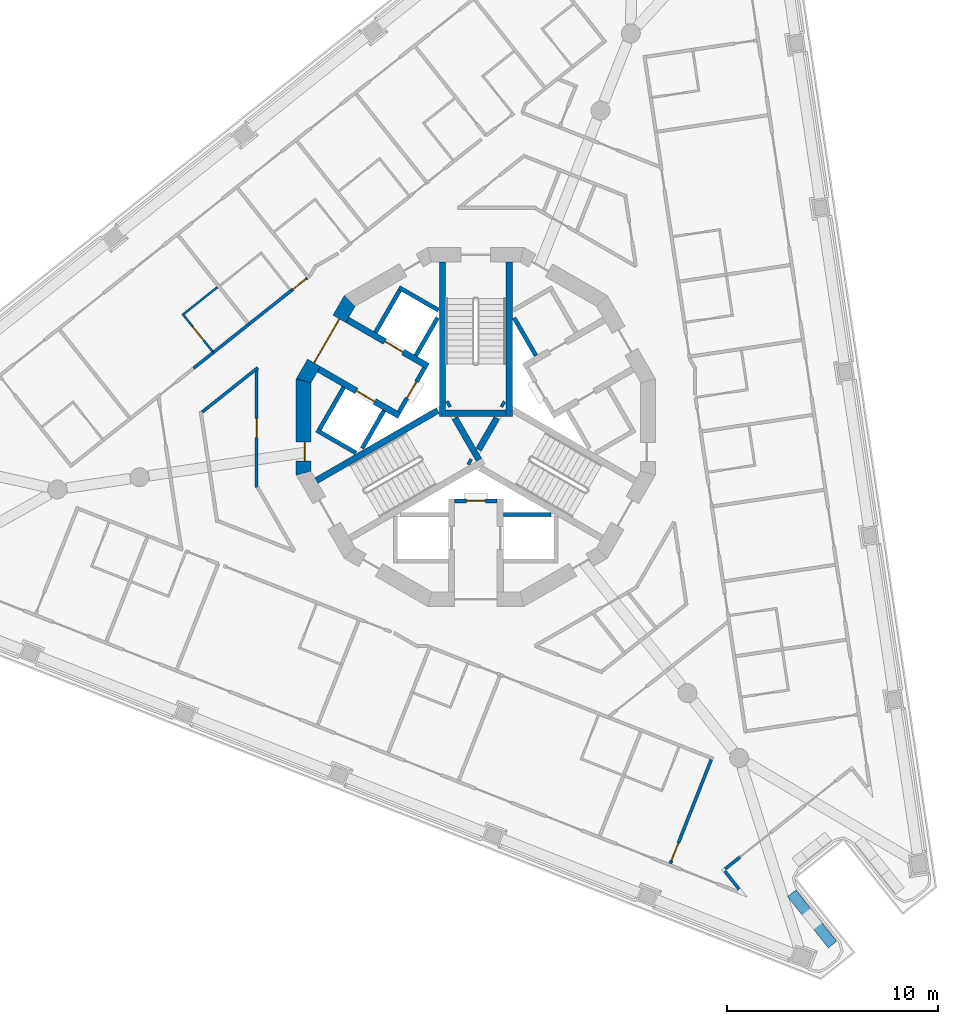
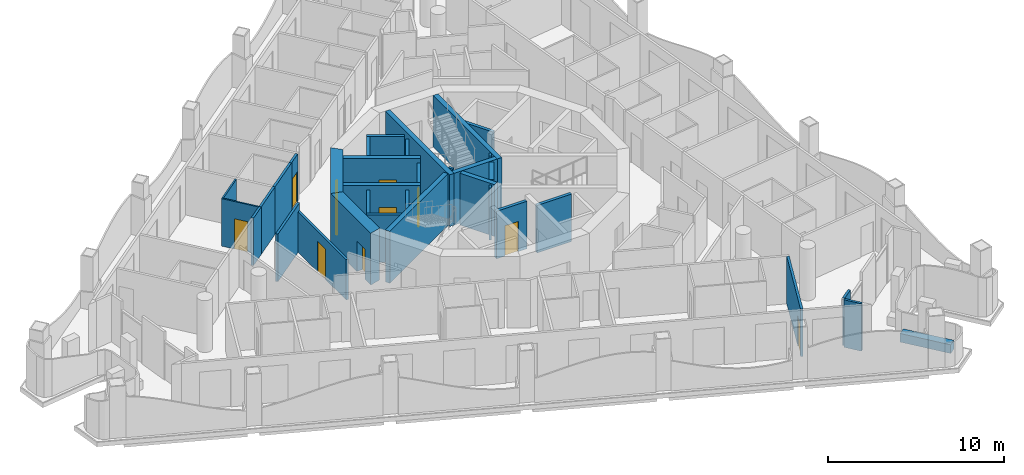
# One storey, part 4 of 17: 35 walls, 10 doors, 10 openings.
"""IFC4 building model written with IfcOpenShell, lengths in metres."""

import ifcopenshell
import ifcopenshell.guid

model = None  # the IFC model being written
_history = None  # IfcOwnerHistory: only IFC2X3 demands one
_inside = {}  # id of a spatial element -> (the spatial element, [elements in it])
_under = {}  # id of a project, library or spatial element -> (it, [spatial elements below it])
_declared = {}  # id of a project -> (the project, [libraries it declares])
_typed = {}  # id of a type object -> (the type object, [elements of that type])
_made_of = {}  # id of a material, layer set ... -> (it, [elements and type objects made of it])


def new_model(schema):
    """Start an empty IFC model of exactly this schema.

    Asked for "IFC4X3", IfcOpenShell would pick the latest addendum, in which some entities
    have other attributes; the version numbers below select the first issue.
    IFC2X3 requires an IfcOwnerHistory on every rooted entity: one is made here for all.
    """
    global model, _history
    if schema == "IFC4X3":
        model = ifcopenshell.file(schema_version=(4, 3, 0, 0))
    else:
        model = ifcopenshell.file(schema=schema)
    _inside.clear()
    _under.clear()
    _declared.clear()
    _typed.clear()
    _made_of.clear()
    _history = None
    if model.schema == "IFC2X3":
        org = make("IfcOrganization", Name="unknown")
        user = make(
            "IfcPersonAndOrganization",
            ThePerson=make("IfcPerson", FamilyName="unknown"),
            TheOrganization=org,
        )
        app = make(
            "IfcApplication",
            ApplicationDeveloper=org,
            Version="unknown",
            ApplicationFullName="unknown",
            ApplicationIdentifier="unknown",
        )
        _history = make(
            "IfcOwnerHistory",
            OwningUser=user,
            OwningApplication=app,
            ChangeAction="ADDED",
            CreationDate=0,
        )
    return model


def make(cls, **values):
    """One entity of the class cls with the attributes given. An attribute that is None is left unset."""
    return model.create_entity(
        cls, **{name: value for name, value in values.items() if value is not None}
    )


def rooted(cls, **values):
    """An entity with a GlobalId (a new one), such as an element, a storey or a relation."""
    return make(cls, GlobalId=ifcopenshell.guid.new(), OwnerHistory=_history, **values)


def si_unit(unit_type, name, prefix=None):
    """IfcSIUnit, for example si_unit("LENGTHUNIT", "METRE", prefix="MILLI")."""
    return make("IfcSIUnit", UnitType=unit_type, Prefix=prefix, Name=name)


def assignment(units):
    """IfcUnitAssignment: the units of a project."""
    return None if units is None else make("IfcUnitAssignment", Units=units)


def point(xyz):
    """IfcCartesianPoint."""
    return None if xyz is None else make("IfcCartesianPoint", Coordinates=xyz)


def direction(xyz):
    """IfcDirection."""
    return None if xyz is None else make("IfcDirection", DirectionRatios=xyz)


def frame(location, z_axis=None, x_axis=None):
    """IfcAxis2Placement3D, a coordinate frame: its origin and axes. An axis left out is left unset."""
    return make(
        "IfcAxis2Placement3D",
        Location=point(location),
        Axis=direction(z_axis),
        RefDirection=direction(x_axis),
    )


def frame_2d(location, x_axis=None):
    """IfcAxis2Placement2D, a coordinate frame in the plane: its origin and x axis."""
    return make(
        "IfcAxis2Placement2D", Location=point(location), RefDirection=direction(x_axis)
    )


def origin():
    """The frame at (0, 0, 0) with its axes left unset."""
    return frame((0.0, 0.0, 0.0))


def place(relative_to, where):
    """IfcLocalPlacement: puts the frame where relative to a parent placement (None: the world)."""
    return make(
        "IfcLocalPlacement", PlacementRelTo=relative_to, RelativePlacement=where
    )


def context(
    kind, dimensions, precision=None, world=None, true_north=None, identifier=None
):
    """IfcGeometricRepresentationContext, for example the 3D "Model" context."""
    return make(
        "IfcGeometricRepresentationContext",
        ContextIdentifier=identifier,
        ContextType=kind,
        CoordinateSpaceDimension=dimensions,
        Precision=precision,
        WorldCoordinateSystem=world,
        TrueNorth=true_north,
    )


def subcontext(parent, identifier, kind, view, scale=None):
    """IfcGeometricRepresentationSubContext, for example "Body" below "Model"."""
    return make(
        "IfcGeometricRepresentationSubContext",
        ContextIdentifier=identifier,
        ContextType=kind,
        ParentContext=parent,
        TargetScale=scale,
        TargetView=view,
    )


def project(units=None, contexts=None):
    """IfcProject with its units and contexts."""
    return rooted(
        "IfcProject",
        Name="project",
        RepresentationContexts=contexts,
        UnitsInContext=assignment(units),
    )


def spatial(cls, under=None, at=None, **own):
    """A site, building, storey or space (cls), placed at a placement, below another one or the project."""
    s = rooted(cls, ObjectPlacement=at, **own)
    if under is not None:
        _under.setdefault(under.id(), (under, []))[1].append(s)
    return s


def polyline(points):
    """IfcPolyline through the points."""
    return make("IfcPolyline", Points=[point(p) for p in points])


def profile(cls, at=None, kind="AREA", **sizes):
    """A parametric profile (cls). Its sizes go by their IFC names, for example OverallWidth=200.0."""
    return make(cls, ProfileType=kind, Position=at, **sizes)


def rectangle(**sizes):
    """IfcRectangleProfileDef."""
    return profile("IfcRectangleProfileDef", **sizes)


def outline(outer, holes=None, kind="AREA"):
    """IfcArbitraryClosedProfileDef: a profile drawn as a closed curve; with holes, ...WithVoids."""
    if holes is None:
        return make("IfcArbitraryClosedProfileDef", ProfileType=kind, OuterCurve=outer)
    return make(
        "IfcArbitraryProfileDefWithVoids",
        ProfileType=kind,
        OuterCurve=outer,
        InnerCurves=holes,
    )


def extrude(swept, where, along, depth):
    """IfcExtrudedAreaSolid: the profile swept, set in the frame where, extruded along a direction by depth."""
    return make(
        "IfcExtrudedAreaSolid",
        SweptArea=swept,
        Position=where,
        ExtrudedDirection=direction(along),
        Depth=depth,
    )


def shape(context_of_items, identifier, shape_type, items):
    """IfcShapeRepresentation: the items that make up one representation, for example the "Body"."""
    return make(
        "IfcShapeRepresentation",
        ContextOfItems=context_of_items,
        RepresentationIdentifier=identifier,
        RepresentationType=shape_type,
        Items=items,
    )


def material(Name=None, Category=None):
    """IfcMaterial."""
    return make("IfcMaterial", Name=Name, Category=Category)


def layer(
    of_material, thickness, ventilated=None, Name=None, Category=None, Priority=None
):
    """IfcMaterialLayer: one layer of a wall or slab, of a material (None: an air gap)."""
    return make(
        "IfcMaterialLayer",
        Material=of_material,
        LayerThickness=thickness,
        IsVentilated=ventilated,
        Name=Name,
        Category=Category,
        Priority=Priority,
    )


def layer_set(layers, Name=None):
    """IfcMaterialLayerSet."""
    return make("IfcMaterialLayerSet", MaterialLayers=layers, LayerSetName=Name)


def made_of(thing, what):
    """Note that an element or type object is made of a material, layer set ...; save() writes the relation."""
    if what is not None:
        _made_of.setdefault(what.id(), (what, []))[1].append(thing)
    return thing


def type_object(cls, material=None, **own):
    """A type object (cls), such as IfcWallType, which elements share."""
    return made_of(rooted(cls, **own), material)


def element(
    cls,
    number,
    at=None,
    inside=None,
    cuts=None,
    type_object=None,
    material=None,
    context=None,
    identifier="Body",
    shape_type=None,
    held_by="IfcProductDefinitionShape",
    body=None,
    shapes=None,
    **own,
):
    """One element of the class cls, such as IfcWall. Its Tag is "e" and its number.

    at: its placement. inside: the storey or other place that contains it. cuts: it is an
    opening in that element (IfcRelVoidsElement). A single representation is given by context,
    identifier, shape_type and body (its items); several are given by shapes. held_by: the class
    of the entity that holds the representations. save() writes the other relations.
    """
    e = rooted(cls, Tag="e%d" % number, ObjectPlacement=at, **own)
    if body is not None:
        shapes = [shape(context, identifier, shape_type, body)]
    if shapes is not None:
        e.Representation = make(held_by, Representations=shapes)
    if inside is not None:
        _inside.setdefault(inside.id(), (inside, []))[1].append(e)
    if cuts is not None:
        rooted(
            "IfcRelVoidsElement", RelatingBuildingElement=cuts, RelatedOpeningElement=e
        )
    if type_object is not None:
        _typed.setdefault(type_object.id(), (type_object, []))[1].append(e)
    return made_of(e, material)


def fill(opening, filler):
    """IfcRelFillsElement: the door or window that sits in an opening."""
    return rooted(
        "IfcRelFillsElement",
        RelatingOpeningElement=opening,
        RelatedBuildingElement=filler,
    )


def aggregate(whole, parts):
    """IfcRelAggregates: a whole, such as a stair, and the parts it consists of."""
    return rooted("IfcRelAggregates", RelatingObject=whole, RelatedObjects=parts)


def save(model, path):
    """Write the relations noted so far, then the file.

    IfcRelAggregates (storeys below a building ...), IfcRelContainedInSpatialStructure (elements
    in a storey), IfcRelDefinesByType, IfcRelAssociatesMaterial and IfcRelDeclares: one each for
    every whole, place, type object, material and project.
    """
    for whole, parts in _under.values():
        aggregate(whole, parts)
    for where, things in _inside.values():
        rooted(
            "IfcRelContainedInSpatialStructure",
            RelatedElements=things,
            RelatingStructure=where,
        )
    for kind, things in _typed.values():
        rooted("IfcRelDefinesByType", RelatedObjects=things, RelatingType=kind)
    for what, things in _made_of.values():
        rooted("IfcRelAssociatesMaterial", RelatedObjects=things, RelatingMaterial=what)
    for by, libraries in _declared.values():
        rooted("IfcRelDeclares", RelatingContext=by, RelatedDefinitions=libraries)
    model.write(path)


model = new_model("IFC4")

# Units and contexts
model_context = context("Model", 3, precision=1e-05, world=origin(), true_north=direction((0.0, 1.0)))
body_context = subcontext(model_context, "Body", "Model", "MODEL_VIEW")
ifc_project = project(units=[si_unit("LENGTHUNIT", "METRE"), si_unit("AREAUNIT", "SQUARE_METRE"), si_unit("VOLUMEUNIT", "CUBIC_METRE"), si_unit("PLANEANGLEUNIT", "RADIAN"), si_unit("MASSUNIT", "GRAM", prefix="KILO")], contexts=[model_context])

# Site, building, storey
site_placement = place(None, origin())
site = spatial("IfcSite", under=ifc_project, at=site_placement, CompositionType="ELEMENT")
building_placement = place(site_placement, origin())
building = spatial("IfcBuilding", under=site, at=building_placement, Name="Trine Commons Tower", CompositionType="ELEMENT")
storey_placement = place(building_placement, frame((0.0, 0.0, 216.0)))
storey = spatial("IfcBuildingStorey", under=building, at=storey_placement, Name="L56", CompositionType="ELEMENT", Elevation=216.0)

# Walls
ifc_material_1 = material(Name="Aluminium-framed insulated wall panel", Category="aluminium")
ifc_layer_1 = layer(ifc_material_1, 0.14990234375)
ifc_layer_set_1 = layer_set([ifc_layer_1], Name="Aluminium-framed insulated wall panel")
wall_type_1 = type_object("IfcWallType", Name="Glazed frame wall 150, EI 60", PredefinedType="SOLIDWALL", material=ifc_layer_set_1)
wall_1_placement = place(storey_placement, frame((92.493896484375, 42.134521484375, 0.0), z_axis=(0.0, 0.0, 1.0), x_axis=(-0.782628082779, -0.622489585492, 0.0)))
element("IfcWall", 1, at=wall_1_placement, inside=storey, type_object=wall_type_1, Name="Glazed frame wall P2.5", PredefinedType="SOLIDWALL", context=body_context, shape_type="SweptSolid", body=[
    extrude(outline(polyline([(0.889892578125, 0.074951171875), (0.0, 0.074951171875), (0.0, -0.074951171875), (0.889892578125, -0.074951171875), (0.889892578125, 0.074951171875)])), origin(), (0.0, 0.0, 1.0), 3.300048828125),
])
wall_2_placement = place(storey_placement, frame((91.716796875, 41.56103515625, 0.0), z_axis=(0.0, 0.0, 1.0), x_axis=(0.622611995912, -0.7825307039, 0.0)))
element("IfcWall", 2, at=wall_2_placement, inside=storey, type_object=wall_type_1, Name="Glazed frame wall R8", PredefinedType="SOLIDWALL", context=body_context, shape_type="SweptSolid", body=[
    extrude(outline(polyline([(0.110107421875, 0.074951171875), (0.110107421875, -0.074951171875), (1.19580078125, -0.074951171875), (1.19580078125, 0.074951171875), (0.110107421875, 0.074951171875)])), origin(), (0.0, 0.0, 1.0), 3.300048828125),
])

# Wall, opening, door
ifc_material_2 = material(Name="Fire-rated gypsum shaft wall system")
ifc_layer_2 = layer(ifc_material_2, 0.199951171875)
ifc_layer_set_2 = layer_set([ifc_layer_2], Name="Fire-rated gypsum shaft wall system")
wall_type_2 = type_object("IfcWallType", Name="Lobby end wall 200 mm, EI 120", PredefinedType="PARTITIONING", material=ifc_layer_set_2)
wall_3_placement = place(storey_placement, frame((77.569091796875, 65.2890625, 0.0), z_axis=(0.0, 0.0, 1.0), x_axis=(-0.50012165622, -0.865955154139, 0.0)))
wall_3 = element("IfcWall", 3, at=wall_3_placement, inside=storey, type_object=wall_type_2, Name="Lobby end wall L56", PredefinedType="PARTITIONING", context=body_context, shape_type="SweptSolid", body=[
    extrude(rectangle(XDim=2.39990234375, YDim=0.199951171875, at=frame_2d((1.199951171875, 0.0))), origin(), (0.0, 0.0, 1.0), 3.300048828125),
])
opening_1_placement = place(wall_3_placement, frame((0.749755859375, 0.0, 0.0)))
opening_1 = element("IfcOpeningElement", 4, at=opening_1_placement, cuts=wall_3, Name="Opening K16.07", PredefinedType="OPENING", context=body_context, shape_type="SweptSolid", body=[
    extrude(rectangle(XDim=0.89990234375, YDim=2.10009765625, at=frame_2d((0.449951171875, 1.050048828125))), frame((0.0, 0.10986328125, 0.0), z_axis=(0.0, -1.0, 0.0), x_axis=(1.0, 0.0, 0.0)), (0.0, 0.0, 1.0), 0.219970703125),
])
ifc_material_3 = material(Name="Steel door leaf, fire-rated", Category="steel")
door_type_1 = type_object("IfcDoorType", Name="Riser access door, single leaf 900 x 2100, FD60", OperationType="SINGLE_SWING_LEFT", PredefinedType="DOOR", material=ifc_material_3)
door_1_placement = place(opening_1_placement, frame((0.89990234375, 0.0, 0.0), z_axis=(0.0, 0.0, 1.0), x_axis=(-1.0, 0.0, 0.0)))
door_1 = element("IfcDoor", 5, at=door_1_placement, inside=storey, type_object=door_type_1, Name="Riser door, Mechanical riser L56", OperationType="SINGLE_SWING_RIGHT", OverallHeight=2.10009765625, OverallWidth=0.89990234375, PredefinedType="DOOR", context=body_context, shape_type="SweptSolid", body=[
    extrude(rectangle(XDim=0.89990234375, YDim=2.10009765625, at=frame_2d((0.449951171875, 1.050048828125))), frame((0.0, 0.02490234375, 0.0), z_axis=(0.0, -1.0, 0.0), x_axis=(1.0, 0.0, 0.0)), (0.0, 0.0, 1.0), 0.050048828125),
])
fill(opening_1, door_1)

wall_4_placement = place(storey_placement, frame((79.0, 59.0, 0.0), z_axis=(0.0, 0.0, 1.0), x_axis=(1.0, 0.0, 0.0)))
wall_4 = element("IfcWall", 6, at=wall_4_placement, inside=storey, type_object=wall_type_2, Name="Lobby end wall L56", PredefinedType="PARTITIONING", context=body_context, shape_type="SweptSolid", body=[
    extrude(rectangle(XDim=2.0, YDim=0.199951171875, at=frame_2d((1.0, 0.0))), origin(), (0.0, 0.0, 1.0), 3.300048828125),
])
opening_2_placement = place(wall_4_placement, frame((0.550048828125, 0.0, 0.0)))
opening_2 = element("IfcOpeningElement", 7, at=opening_2_placement, cuts=wall_4, Name="Opening K16.09", PredefinedType="OPENING", context=body_context, shape_type="SweptSolid", body=[
    extrude(rectangle(XDim=0.89990234375, YDim=2.10009765625, at=frame_2d((0.449951171875, 1.050048828125))), frame((0.0, 0.10986328125, 0.0), z_axis=(0.0, -1.0, 0.0), x_axis=(1.0, 0.0, 0.0)), (0.0, 0.0, 1.0), 0.219970703125),
])
door_2_placement = place(opening_2_placement, frame((0.89990234375, 0.0, 0.0), z_axis=(0.0, 0.0, 1.0), x_axis=(-1.0, 0.0, 0.0)))
door_2 = element("IfcDoor", 8, at=door_2_placement, inside=storey, type_object=door_type_1, Name="Riser door, Communications riser L56", OperationType="SINGLE_SWING_RIGHT", OverallHeight=2.10009765625, OverallWidth=0.89990234375, PredefinedType="DOOR", context=body_context, shape_type="SweptSolid", body=[
    extrude(rectangle(XDim=0.89990234375, YDim=2.10009765625, at=frame_2d((0.449951171875, 1.050048828125))), frame((0.0, 0.02490234375, 0.0), z_axis=(0.0, -1.0, 0.0), x_axis=(1.0, 0.0, 0.0)), (0.0, 0.0, 1.0), 0.050048828125),
])
fill(opening_2, door_2)

# Wall
ifc_material_4 = material(Name="Planter trough, precast concrete C40/50", Category="concrete")
ifc_layer_3 = layer(ifc_material_4, 0.5)
ifc_layer_set_3 = layer_set([ifc_layer_3], Name="Planter trough, precast concrete C40/50")
wall_type_3 = type_object("IfcWallType", Name="Planter trough 500x600", PredefinedType="PARAPET", material=ifc_layer_set_3)
wall_5_placement = place(storey_placement, frame((94.950439453125, 40.427490234375, 0.0), z_axis=(0.0, 0.0, 1.0), x_axis=(0.622550971161, -0.782579253691, 0.0)))
element("IfcWall", 9, at=wall_5_placement, inside=storey, type_object=wall_type_3, Name="Planter 9", PredefinedType="PARAPET", context=body_context, shape_type="SweptSolid", body=[
    extrude(rectangle(XDim=3.10009765625, YDim=0.5, at=frame_2d((1.550048828125, 0.0))), origin(), (0.0, 0.0, 1.0), 0.60009765625),
])

# Wall, opening, door
ifc_material_5 = material(Name="Concrete C60/75", Category="concrete")
ifc_layer_4 = layer(ifc_material_5, 0.300048828125)
ifc_layer_set_4 = layer_set([ifc_layer_4], Name="Concrete C60/75")
wall_type_4 = type_object("IfcWallType", Name="RC shear wall 300 mm, C60/75", PredefinedType="SHEAR", material=ifc_layer_set_4)
wall_6_placement = place(storey_placement, frame((76.381103515625, 63.031005859375, 0.0), z_axis=(0.0, 0.0, 1.0), x_axis=(-0.866059941101, 0.499940174841, 0.0)))
wall_6 = element("IfcWall", 10, at=wall_6_placement, inside=storey, type_object=wall_type_4, Name="Core cross wall SWC-01 L56", PredefinedType="SHEAR", context=body_context, shape_type="SweptSolid", body=[
    extrude(rectangle(XDim=4.400390625, YDim=0.300048828125, at=frame_2d((2.2001953125, 0.0))), origin(), (0.0, 0.0, 1.0), 3.60009765625),
])
opening_3_placement = place(wall_6_placement, frame((1.350341796875, 0.0, 0.0)))
opening_3 = element("IfcOpeningElement", 11, at=opening_3_placement, cuts=wall_6, Name="Opening LD7", PredefinedType="OPENING", context=body_context, shape_type="SweptSolid", body=[
    extrude(rectangle(XDim=1.0, YDim=2.10009765625, at=frame_2d((0.5, 1.050048828125))), frame((0.0, 0.159912109375, 0.0), z_axis=(0.0, -1.0, 0.0), x_axis=(1.0, 0.0, 0.0)), (0.0, 0.0, 1.0), 0.320068359375),
])
ifc_material_6 = material(Name="Stainless steel sliding door leaves", Category="steel")
door_type_2 = type_object("IfcDoorType", Name="Lift landing door, centre-opening sliding 1000 x 2100, FD90", OperationType="DOUBLE_DOOR_SLIDING", PredefinedType="DOOR", material=ifc_material_6)
door_3_placement = place(opening_3_placement, origin())
door_3 = element("IfcDoor", 12, at=door_3_placement, inside=storey, type_object=door_type_2, Name="Lift landing door HR3 L56", OperationType="DOUBLE_DOOR_SLIDING", OverallHeight=2.10009765625, OverallWidth=1.0, PredefinedType="DOOR", context=body_context, shape_type="SweptSolid", body=[
    extrude(rectangle(XDim=1.0, YDim=2.10009765625, at=frame_2d((0.5, 1.050048828125))), frame((0.0, 0.02490234375, 0.0), z_axis=(0.0, -1.0, 0.0), x_axis=(1.0, 0.0, 0.0)), (0.0, 0.0, 1.0), 0.050048828125),
])
fill(opening_3, door_3)

wall_7_placement = place(storey_placement, frame((77.73095703125, 65.368896484375, 0.0), z_axis=(0.0, 0.0, 1.0), x_axis=(-0.866035918664, 0.499981787252, 0.0)))
wall_7 = element("IfcWall", 13, at=wall_7_placement, inside=storey, type_object=wall_type_4, Name="Core cross wall SWC-02 L56", PredefinedType="SHEAR", context=body_context, shape_type="SweptSolid", body=[
    extrude(rectangle(XDim=4.400634765625, YDim=0.300048828125, at=frame_2d((2.2001953125, 0.0))), origin(), (0.0, 0.0, 1.0), 3.60009765625),
])
opening_4_placement = place(wall_7_placement, frame((1.3505859375, 0.0, 0.0)))
opening_4 = element("IfcOpeningElement", 14, at=opening_4_placement, cuts=wall_7, Name="Opening LD8", PredefinedType="OPENING", context=body_context, shape_type="SweptSolid", body=[
    extrude(rectangle(XDim=1.0, YDim=2.10009765625, at=frame_2d((0.5, 1.050048828125))), frame((0.0, 0.159912109375, 0.0), z_axis=(0.0, -1.0, 0.0), x_axis=(1.0, 0.0, 0.0)), (0.0, 0.0, 1.0), 0.320068359375),
])
door_4_placement = place(opening_4_placement, origin())
door_4 = element("IfcDoor", 15, at=door_4_placement, inside=storey, type_object=door_type_2, Name="Lift landing door HR4 L56", OperationType="DOUBLE_DOOR_SLIDING", OverallHeight=2.10009765625, OverallWidth=1.0, PredefinedType="DOOR", context=body_context, shape_type="SweptSolid", body=[
    extrude(rectangle(XDim=1.0, YDim=2.10009765625, at=frame_2d((0.5, 1.050048828125))), frame((0.0, 0.02490234375, 0.0), z_axis=(0.0, -1.0, 0.0), x_axis=(1.0, 0.0, 0.0)), (0.0, 0.0, 1.0), 0.050048828125),
])
fill(opening_4, door_4)

# Walls
wall_8_placement = place(storey_placement, frame((78.199951171875, 63.280029296875, 0.0), z_axis=(0.0, 0.0, 1.0), x_axis=(-0.866009627307, -0.500027324665, 0.0)))
element("IfcWall", 16, at=wall_8_placement, inside=storey, type_object=wall_type_4, Name="Core cross wall SWC-07 L56", PredefinedType="SHEAR", context=body_context, shape_type="SweptSolid", body=[
    extrude(rectangle(XDim=6.631591796875, YDim=0.300048828125, at=frame_2d((3.31591796875, 0.0))), origin(), (0.0, 0.0, 1.0), 3.60009765625),
])
wall_9_placement = place(storey_placement, frame((78.425048828125, 63.0009765625, 0.0), z_axis=(0.0, 0.0, 1.0), x_axis=(0.0, 1.0, 0.0)))
element("IfcWall", 17, at=wall_9_placement, inside=storey, type_object=wall_type_4, Name="Core cross wall SWC-08 L56", PredefinedType="SHEAR", context=body_context, shape_type="SweptSolid", body=[
    extrude(rectangle(XDim=7.299072265625, YDim=0.300048828125, at=frame_2d((3.6494140625, 0.0))), origin(), (0.0, 0.0, 1.0), 3.60009765625),
])
wall_10_placement = place(storey_placement, frame((78.779052734375, 63.614013671875, 0.0), z_axis=(0.0, 0.0, 1.0), x_axis=(-0.867737973955, -0.497021939713, 0.0)))
element("IfcWall", 18, at=wall_10_placement, inside=storey, type_object=wall_type_4, Name="Core cross wall SWC-09 L56", PredefinedType="SHEAR", context=body_context, shape_type="SweptSolid", body=[
    extrude(rectangle(XDim=0.14892578125, YDim=0.300048828125, at=frame_2d((0.074462890625, 0.0))), origin(), (0.0, 0.0, 1.0), 3.60009765625),
])
wall_11_placement = place(storey_placement, frame((79.0029296875, 62.926025390625, 0.0), z_axis=(0.0, 0.0, 1.0), x_axis=(0.499965247104, -0.866045467449, 0.0)))
element("IfcWall", 19, at=wall_11_placement, inside=storey, type_object=wall_type_4, Name="Core cross wall SWC-10 L56", PredefinedType="SHEAR", context=body_context, shape_type="SweptSolid", body=[
    extrude(rectangle(XDim=2.292236328125, YDim=0.300048828125, at=frame_2d((1.14599609375, 0.0))), origin(), (0.0, 0.0, 1.0), 3.60009765625),
])
wall_12_placement = place(storey_placement, frame((79.64599609375, 60.885986328125, 0.0), z_axis=(0.0, 0.0, 1.0), x_axis=(0.867331893649, -0.497730234424, 0.0)))
element("IfcWall", 20, at=wall_12_placement, inside=storey, type_object=wall_type_4, Name="Core cross wall SWC-11 L56", PredefinedType="SHEAR", context=body_context, shape_type="SweptSolid", body=[
    extrude(rectangle(XDim=0.148681640625, YDim=0.300048828125, at=frame_2d((0.07421875, 0.0))), origin(), (0.0, 0.0, 1.0), 3.60009765625),
])
wall_13_placement = place(storey_placement, frame((80.1298828125, 61.424072265625, 0.0), z_axis=(0.0, 0.0, 1.0), x_axis=(0.500014901547, 0.866016800201, 0.0)))
element("IfcWall", 21, at=wall_13_placement, inside=storey, type_object=wall_type_4, Name="Core cross wall SWC-12 L56", PredefinedType="SHEAR", context=body_context, shape_type="SweptSolid", body=[
    extrude(rectangle(XDim=1.734375, YDim=0.300048828125, at=frame_2d((0.8671875, 0.0))), origin(), (0.0, 0.0, 1.0), 3.60009765625),
])
wall_14_placement = place(storey_placement, frame((81.220947265625, 63.614013671875, 0.0), z_axis=(0.0, 0.0, 1.0), x_axis=(0.867737973955, -0.497021939713, 0.0)))
element("IfcWall", 22, at=wall_14_placement, inside=storey, type_object=wall_type_4, Name="Core cross wall SWC-15 L56", PredefinedType="SHEAR", context=body_context, shape_type="SweptSolid", body=[
    extrude(rectangle(XDim=0.14892578125, YDim=0.300048828125, at=frame_2d((0.074462890625, 0.0))), origin(), (0.0, 0.0, 1.0), 3.60009765625),
])
wall_15_placement = place(storey_placement, frame((81.425048828125, 63.15087890625, 0.0), z_axis=(0.0, 0.0, 1.0), x_axis=(-1.0, 0.0, 0.0)))
element("IfcWall", 23, at=wall_15_placement, inside=storey, type_object=wall_type_4, Name="Core cross wall SWC-16 L56", PredefinedType="SHEAR", context=body_context, shape_type="SweptSolid", body=[
    extrude(rectangle(XDim=2.85009765625, YDim=0.300048828125, at=frame_2d((1.425048828125, 0.0))), origin(), (0.0, 0.0, 1.0), 3.60009765625),
])
wall_16_placement = place(storey_placement, frame((81.574951171875, 63.0009765625, 0.0), z_axis=(0.0, 0.0, 1.0), x_axis=(0.0, 1.0, 0.0)))
element("IfcWall", 24, at=wall_16_placement, inside=storey, type_object=wall_type_4, Name="Core cross wall SWC-17 L56", PredefinedType="SHEAR", context=body_context, shape_type="SweptSolid", body=[
    extrude(rectangle(XDim=7.299072265625, YDim=0.300048828125, at=frame_2d((3.6494140625, 0.0))), origin(), (0.0, 0.0, 1.0), 3.60009765625),
])

# Wall, opening, door
ifc_layer_5 = layer(ifc_material_5, 0.699951171875)
ifc_layer_set_5 = layer_set([ifc_layer_5], Name="Concrete C60/75")
wall_type_5 = type_object("IfcWallType", Name="RC shear wall 700 mm, C60/75", PredefinedType="SHEAR", material=ifc_layer_set_5)
wall_17_placement = place(storey_placement, frame((74.08056640625, 68.547607421875, 0.0), z_axis=(0.0, 0.0, 1.0), x_axis=(-0.499983800959, -0.866034756103, 0.0)))
wall_17 = element("IfcWall", 25, at=wall_17_placement, inside=storey, type_object=wall_type_5, Name="Core wall CWF-06 L56", PredefinedType="SHEAR", context=body_context, shape_type="SweptSolid", body=[
    extrude(outline(polyline([(0.0, -0.35009765625), (4.55517578125, -0.35009765625), (4.36767578125, 0.35009765625), (0.1875, 0.35009765625), (0.0, -0.35009765625)])), origin(), (0.0, 0.0, 1.0), 3.60009765625),
])
opening_5_placement = place(wall_17_placement, frame((1.077392578125, 0.0, 0.0)))
opening_5 = element("IfcOpeningElement", 26, at=opening_5_placement, cuts=wall_17, Name="Opening K16.06", PredefinedType="OPENING", context=body_context, shape_type="SweptSolid", body=[
    extrude(rectangle(XDim=2.39990234375, YDim=2.10009765625, at=frame_2d((1.199951171875, 1.050048828125))), frame((0.0, 0.35986328125, 0.0), z_axis=(0.0, -1.0, 0.0), x_axis=(1.0, 0.0, 0.0)), (0.0, 0.0, 1.0), 0.719970703125),
])
ifc_material_7 = material(Name="Steel door leaves, fire-rated", Category="steel")
door_type_3 = type_object("IfcDoorType", Name="Lobby door, double leaf 2400 x 2100, FD60", OperationType="DOUBLE_DOOR_SINGLE_SWING", PredefinedType="DOOR", material=ifc_material_7)
door_5_placement = place(opening_5_placement, origin())
door_5 = element("IfcDoor", 27, at=door_5_placement, inside=storey, type_object=door_type_3, Name="Lobby door, Passenger lift lobby B L56", OperationType="DOUBLE_DOOR_SINGLE_SWING", OverallHeight=2.10009765625, OverallWidth=2.39990234375, PredefinedType="DOOR", context=body_context, shape_type="SweptSolid", body=[
    extrude(rectangle(XDim=2.39990234375, YDim=2.10009765625, at=frame_2d((1.199951171875, 1.050048828125))), frame((0.0, 0.02490234375, 0.0), z_axis=(0.0, -1.0, 0.0), x_axis=(1.0, 0.0, 0.0)), (0.0, 0.0, 1.0), 0.050048828125),
])
fill(opening_5, door_5)

wall_18_placement = place(storey_placement, frame((71.849853515625, 64.777587890625, 0.0), z_axis=(0.0, 0.0, 1.0), x_axis=(0.0, -1.0, 0.0)))
wall_18 = element("IfcWall", 28, at=wall_18_placement, inside=storey, type_object=wall_type_5, Name="Core wall CWF-07 L56", PredefinedType="SHEAR", context=body_context, shape_type="SweptSolid", body=[
    extrude(outline(polyline([(0.0, -0.35009765625), (4.55517578125, -0.35009765625), (4.36767578125, 0.35009765625), (0.1875, 0.35009765625), (0.0, -0.35009765625)])), origin(), (0.0, 0.0, 1.0), 3.60009765625),
])
opening_6_placement = place(wall_18_placement, frame((2.99169921875, 0.0, 0.0)))
opening_6 = element("IfcOpeningElement", 29, at=opening_6_placement, cuts=wall_18, Name="Opening K16.14", PredefinedType="OPENING", context=body_context, shape_type="SweptSolid", body=[
    extrude(rectangle(XDim=0.89990234375, YDim=2.10009765625, at=frame_2d((0.449951171875, 1.050048828125))), frame((0.0, 0.35986328125, 0.0), z_axis=(0.0, -1.0, 0.0), x_axis=(1.0, 0.0, 0.0)), (0.0, 0.0, 1.0), 0.719970703125),
])
door_type_4 = type_object("IfcDoorType", Name="Core room door, single leaf 900 x 2100, FD30S", OperationType="SINGLE_SWING_LEFT", PredefinedType="DOOR", material=ifc_material_3)
door_6_placement = place(opening_6_placement, origin())
door_6 = element("IfcDoor", 30, at=door_6_placement, inside=storey, type_object=door_type_4, Name="Door to Pantry L56", OperationType="SINGLE_SWING_RIGHT", OverallHeight=2.10009765625, OverallWidth=0.89990234375, PredefinedType="DOOR", context=body_context, shape_type="SweptSolid", body=[
    extrude(rectangle(XDim=0.89990234375, YDim=2.10009765625, at=frame_2d((0.449951171875, 1.050048828125))), frame((0.0, 0.0751953125, 0.0), z_axis=(0.0, -1.0, 0.0), x_axis=(1.0, 0.0, 0.0)), (0.0, 0.0, 1.0), 0.050048828125),
])
fill(opening_6, door_6)

# Walls
ifc_layer_6 = layer(ifc_material_2, 0.199951171875)
ifc_layer_set_6 = layer_set([ifc_layer_6], Name="Fire-rated gypsum shaft wall system")
wall_type_6 = type_object("IfcWallType", Name="Shaft wall 200 mm, EI 120", PredefinedType="PARTITIONING", material=ifc_layer_set_6)
wall_19_placement = place(storey_placement, frame((73.7509765625, 64.3759765625, 0.0), z_axis=(0.0, 0.0, 1.0), x_axis=(-0.500136062276, -0.86594683394, 0.0)))
element("IfcWall", 31, at=wall_19_placement, inside=storey, type_object=wall_type_6, Name="Shaft wall L56", PredefinedType="PARTITIONING", context=body_context, shape_type="SweptSolid", body=[
    extrude(rectangle(XDim=2.299072265625, YDim=0.199951171875, at=frame_2d((1.1494140625, 0.0))), origin(), (0.0, 0.0, 1.0), 3.300048828125),
])
wall_20_placement = place(storey_placement, frame((74.324951171875, 61.27392578125, 0.0), z_axis=(0.0, 0.0, 1.0), x_axis=(-0.866102336459, 0.499866725018, 0.0)))
element("IfcWall", 32, at=wall_20_placement, inside=storey, type_object=wall_type_6, Name="Shaft wall L56", PredefinedType="PARTITIONING", context=body_context, shape_type="SweptSolid", body=[
    extrude(rectangle(XDim=2.1484375, YDim=0.199951171875, at=frame_2d((1.07421875, 0.0))), origin(), (0.0, 0.0, 1.0), 3.300048828125),
])
wall_21_placement = place(storey_placement, frame((75.2509765625, 66.97412109375, 0.0), z_axis=(0.0, 0.0, 1.0), x_axis=(0.500136062276, 0.86594683394, 0.0)))
element("IfcWall", 33, at=wall_21_placement, inside=storey, type_object=wall_type_6, Name="Shaft wall L56", PredefinedType="PARTITIONING", context=body_context, shape_type="SweptSolid", body=[
    extrude(rectangle(XDim=2.299072265625, YDim=0.199951171875, at=frame_2d((1.1494140625, 0.0))), origin(), (0.0, 0.0, 1.0), 3.300048828125),
])
wall_22_placement = place(storey_placement, frame((75.656005859375, 63.27587890625, 0.0), z_axis=(0.0, 0.0, 1.0), x_axis=(-0.500271688072, -0.86586848777, 0.0)))
element("IfcWall", 34, at=wall_22_placement, inside=storey, type_object=wall_type_6, Name="Shaft wall L56", PredefinedType="PARTITIONING", context=body_context, shape_type="SweptSolid", body=[
    extrude(rectangle(XDim=2.064697265625, YDim=0.199951171875, at=frame_2d((1.0322265625, 0.0))), origin(), (0.0, 0.0, 1.0), 3.300048828125),
])
wall_23_placement = place(storey_placement, frame((77.156005859375, 65.8740234375, 0.0), z_axis=(0.0, 0.0, 1.0), x_axis=(0.499865770674, 0.866102887253, 0.0)))
element("IfcWall", 35, at=wall_23_placement, inside=storey, type_object=wall_type_6, Name="Shaft wall L56", PredefinedType="PARTITIONING", context=body_context, shape_type="SweptSolid", body=[
    extrude(rectangle(XDim=2.064453125, YDim=0.199951171875, at=frame_2d((1.0322265625, 0.0))), origin(), (0.0, 0.0, 1.0), 3.300048828125),
])
wall_24_placement = place(storey_placement, frame((78.22509765625, 68.028076171875, 0.0), z_axis=(0.0, 0.0, 1.0), x_axis=(-0.866130725101, 0.499817533742, 0.0)))
element("IfcWall", 36, at=wall_24_placement, inside=storey, type_object=wall_type_6, Name="Shaft wall L56", PredefinedType="PARTITIONING", context=body_context, shape_type="SweptSolid", body=[
    extrude(rectangle(XDim=2.148681640625, YDim=0.199951171875, at=frame_2d((1.07421875, 0.0))), origin(), (0.0, 0.0, 1.0), 3.300048828125),
])
wall_25_placement = place(storey_placement, frame((81.300048828125, 58.35009765625, 0.0), z_axis=(0.0, 0.0, 1.0), x_axis=(1.0, 0.0, 0.0)))
element("IfcWall", 37, at=wall_25_placement, inside=storey, type_object=wall_type_6, Name="Shaft wall L56", PredefinedType="PARTITIONING", context=body_context, shape_type="SweptSolid", body=[
    extrude(rectangle(XDim=2.264892578125, YDim=0.199951171875, at=frame_2d((1.13232421875, 0.0))), origin(), (0.0, 0.0, 1.0), 3.300048828125),
])
wall_26_placement = place(storey_placement, frame((82.843994140625, 65.8740234375, 0.0), z_axis=(0.0, 0.0, 1.0), x_axis=(-0.499865770674, 0.866102887253, 0.0)))
element("IfcWall", 38, at=wall_26_placement, inside=storey, type_object=wall_type_6, Name="Shaft wall L56", PredefinedType="PARTITIONING", context=body_context, shape_type="SweptSolid", body=[
    extrude(rectangle(XDim=2.064453125, YDim=0.199951171875, at=frame_2d((1.0322265625, 0.0))), origin(), (0.0, 0.0, 1.0), 3.300048828125),
])
ifc_material_8 = material(Name="Gypsum plasterboard on steel stud", Category="steel")
ifc_layer_7 = layer(ifc_material_8, 0.14990234375)
ifc_layer_set_7 = layer_set([ifc_layer_7], Name="Gypsum plasterboard on steel stud")
wall_type_7 = type_object("IfcWallType", Name="Unit and corridor wall 150 mm, EI 60", PredefinedType="PARTITIONING", material=ifc_layer_set_7)
wall_27_placement = place(storey_placement, frame((66.64306640625, 65.280029296875, 0.0), z_axis=(0.0, 0.0, 1.0), x_axis=(0.782795232177, 0.622279378158, 0.0)))
element("IfcWall", 39, at=wall_27_placement, inside=storey, type_object=wall_type_7, Name="Partition 023", PredefinedType="PARTITIONING", context=body_context, shape_type="SweptSolid", body=[
    extrude(rectangle(XDim=1.197021484375, YDim=0.14990234375, at=frame_2d((0.5986328125, 0.0))), origin(), (0.0, 0.0, 1.0), 3.300048828125),
])
wall_28_placement = place(storey_placement, frame((67.0498046875, 63.206787109375, 0.0), z_axis=(0.0, 0.0, 1.0), x_axis=(0.782472540885, 0.622685091166, 0.0)))
element("IfcWall", 40, at=wall_28_placement, inside=storey, type_object=wall_type_7, Name="Partition 025", PredefinedType="PARTITIONING", context=body_context, shape_type="SweptSolid", body=[
    extrude(rectangle(XDim=3.365966796875, YDim=0.14990234375, at=frame_2d((1.68310546875, 0.0))), origin(), (0.0, 0.0, 1.0), 3.300048828125),
])
wall_29_placement = place(storey_placement, frame((67.573974609375, 66.02099609375, 0.0), z_axis=(0.0, 0.0, 1.0), x_axis=(0.782929257376, 0.622110744116, 0.0)))
element("IfcWall", 41, at=wall_29_placement, inside=storey, type_object=wall_type_7, Name="Partition 026", PredefinedType="PARTITIONING", context=body_context, shape_type="SweptSolid", body=[
    extrude(rectangle(XDim=2.1572265625, YDim=0.14990234375, at=frame_2d((1.07861328125, 0.0))), origin(), (0.0, 0.0, 1.0), 3.300048828125),
])
wall_30_placement = place(storey_placement, frame((69.257080078125, 67.35888671875, 0.0), z_axis=(0.0, 0.0, 1.0), x_axis=(0.783010279593, 0.622008763646, 0.0)))
element("IfcWall", 42, at=wall_30_placement, inside=storey, type_object=wall_type_7, Name="Partition 031", PredefinedType="PARTITIONING", context=body_context, shape_type="SweptSolid", body=[
    extrude(rectangle(XDim=2.608154296875, YDim=0.14990234375, at=frame_2d((1.30419921875, 0.0))), origin(), (0.0, 0.0, 1.0), 3.300048828125),
])

# Wall, opening, door
wall_31_placement = place(storey_placement, frame((69.625, 59.64501953125, 0.0), z_axis=(0.0, 0.0, 1.0), x_axis=(0.0, 1.0, 0.0)))
wall_31 = element("IfcWall", 43, at=wall_31_placement, inside=storey, type_object=wall_type_7, Name="Partition 032", PredefinedType="PARTITIONING", context=body_context, shape_type="SweptSolid", body=[
    extrude(rectangle(XDim=5.5400390625, YDim=0.14990234375, at=frame_2d((2.77001953125, 0.0))), origin(), (0.0, 0.0, 1.0), 2.800048828125),
])
opening_7_placement = place(wall_31_placement, frame((2.357421875, 0.0, 0.0)))
opening_7 = element("IfcOpeningElement", 44, at=opening_7_placement, cuts=wall_31, Name="Opening D-6B28", PredefinedType="OPENING", context=body_context, shape_type="SweptSolid", body=[
    extrude(rectangle(XDim=0.89990234375, YDim=2.10009765625, at=frame_2d((0.449951171875, 1.050048828125))), frame((0.0, 0.0849609375, 0.0), z_axis=(0.0, -1.0, 0.0), x_axis=(1.0, 0.0, 0.0)), (0.0, 0.0, 1.0), 0.169921875),
])
ifc_material_9 = material(Name="Timber fire door set", Category="wood")
door_type_5 = type_object("IfcDoorType", Name="Service door 900 x 2100, FD30S", OperationType="NOTDEFINED", PredefinedType="DOOR", material=ifc_material_9)
door_7_placement = place(opening_7_placement, origin())
door_7 = element("IfcDoor", 45, at=door_7_placement, inside=storey, type_object=door_type_5, Name="Door D-6B28", OperationType="SINGLE_SWING_RIGHT", OverallHeight=2.10009765625, OverallWidth=0.89990234375, PredefinedType="DOOR", context=body_context, shape_type="SweptSolid", body=[
    extrude(rectangle(XDim=0.89990234375, YDim=2.10009765625, at=frame_2d((0.449951171875, 1.050048828125))), frame((0.0, 0.02490234375, 0.0), z_axis=(0.0, -1.0, 0.0), x_axis=(1.0, 0.0, 0.0)), (0.0, 0.0, 1.0), 0.050048828125),
])
fill(opening_7, door_7)

wall_32_placement = place(storey_placement, frame((71.25390625, 68.946044921875, 0.0), z_axis=(0.0, 0.0, 1.0), x_axis=(0.783154240539, 0.621827496598, 0.0)))
wall_32 = element("IfcWall", 46, at=wall_32_placement, inside=storey, type_object=wall_type_7, Name="Partition 036", PredefinedType="PARTITIONING", context=body_context, shape_type="SweptSolid", body=[
    extrude(rectangle(XDim=0.967041015625, YDim=0.14990234375, at=frame_2d((0.4833984375, 0.0))), origin(), (0.0, 0.0, 1.0), 3.300048828125),
])
opening_8_placement = place(wall_32_placement, frame((0.116943359375, 0.0, 0.0)))
opening_8 = element("IfcOpeningElement", 47, at=opening_8_placement, cuts=wall_32, Name="Opening D-6B07", PredefinedType="OPENING", context=body_context, shape_type="SweptSolid", body=[
    extrude(rectangle(XDim=0.800048828125, YDim=2.10009765625, at=frame_2d((0.39990234375, 1.050048828125))), frame((0.0, 0.0849609375, 0.0), z_axis=(0.0, -1.0, 0.0), x_axis=(1.0, 0.0, 0.0)), (0.0, 0.0, 1.0), 0.169921875),
])
door_type_6 = type_object("IfcDoorType", Name="Bedroom door 800 x 2100, FD30S", OperationType="NOTDEFINED", PredefinedType="DOOR", material=ifc_material_9)
door_8_placement = place(opening_8_placement, origin())
door_8 = element("IfcDoor", 48, at=door_8_placement, inside=storey, type_object=door_type_6, Name="Door D-6B07", OperationType="SINGLE_SWING_RIGHT", OverallHeight=2.10009765625, OverallWidth=0.800048828125, PredefinedType="DOOR", context=body_context, shape_type="SweptSolid", body=[
    extrude(rectangle(XDim=0.800048828125, YDim=2.10009765625, at=frame_2d((0.39990234375, 1.050048828125))), frame((0.0, 0.02490234375, 0.0), z_axis=(0.0, -1.0, 0.0), x_axis=(1.0, 0.0, 0.0)), (0.0, 0.0, 1.0), 0.050048828125),
])
fill(opening_8, door_8)

wall_33_placement = place(storey_placement, frame((89.20458984375, 41.838134765625, 0.0), z_axis=(0.0, 0.0, 1.0), x_axis=(0.366526942071, 0.930407438027, 0.0)))
wall_33 = element("IfcWall", 49, at=wall_33_placement, inside=storey, type_object=wall_type_7, Name="Partition 113", PredefinedType="PARTITIONING", context=body_context, shape_type="SweptSolid", body=[
    extrude(rectangle(XDim=5.28466796875, YDim=0.14990234375, at=frame_2d((2.642333984375, 0.0))), origin(), (0.0, 0.0, 1.0), 3.300048828125),
])
opening_9_placement = place(wall_33_placement, frame((0.14990234375, 0.0, 0.0)))
opening_9 = element("IfcOpeningElement", 50, at=opening_9_placement, cuts=wall_33, Name="Opening D-6B21", PredefinedType="OPENING", context=body_context, shape_type="SweptSolid", body=[
    extrude(rectangle(XDim=0.89990234375, YDim=2.10009765625, at=frame_2d((0.449951171875, 1.050048828125))), frame((0.0, 0.0849609375, 0.0), z_axis=(0.0, -1.0, 0.0), x_axis=(1.0, 0.0, 0.0)), (0.0, 0.0, 1.0), 0.169921875),
])
door_type_7 = type_object("IfcDoorType", Name="Bedroom door 900 x 2100, FD30S", OperationType="NOTDEFINED", PredefinedType="DOOR", material=ifc_material_9)
door_9_placement = place(opening_9_placement, origin())
door_9 = element("IfcDoor", 51, at=door_9_placement, inside=storey, type_object=door_type_7, Name="Door D-6B21", OperationType="SINGLE_SWING_LEFT", OverallHeight=2.10009765625, OverallWidth=0.89990234375, PredefinedType="DOOR", context=body_context, shape_type="SweptSolid", body=[
    extrude(rectangle(XDim=0.89990234375, YDim=2.10009765625, at=frame_2d((0.449951171875, 1.050048828125))), frame((0.0, 0.02490234375, 0.0), z_axis=(0.0, -1.0, 0.0), x_axis=(1.0, 0.0, 0.0)), (0.0, 0.0, 1.0), 0.050048828125),
])
fill(opening_9, door_9)

ifc_layer_8 = layer(ifc_material_8, 0.10009765625)
ifc_layer_set_8 = layer_set([ifc_layer_8], Name="Gypsum plasterboard on steel stud")
wall_type_8 = type_object("IfcWallType", Name="Unit partition 100 mm, no rating", PredefinedType="PARTITIONING", material=ifc_layer_set_8)
wall_34_placement = place(storey_placement, frame((66.114013671875, 67.862060546875, 0.0), z_axis=(0.0, 0.0, 1.0), x_axis=(0.622513442911, -0.782609106384, 0.0)))
wall_34 = element("IfcWall", 52, at=wall_34_placement, inside=storey, type_object=wall_type_8, Name="Partition 020", PredefinedType="PARTITIONING", context=body_context, shape_type="SweptSolid", body=[
    extrude(rectangle(XDim=2.349853515625, YDim=0.10009765625, at=frame_2d((1.1748046875, 0.0))), origin(), (0.0, 0.0, 1.0), 3.300048828125),
])
opening_10_placement = place(wall_34_placement, frame((0.800048828125, 0.0, 0.0)))
opening_10 = element("IfcOpeningElement", 53, at=opening_10_placement, cuts=wall_34, Name="Opening D-6B36", PredefinedType="OPENING", context=body_context, shape_type="SweptSolid", body=[
    extrude(rectangle(XDim=0.800048828125, YDim=2.10009765625, at=frame_2d((0.39990234375, 1.050048828125))), frame((0.0, 0.06005859375, 0.0), z_axis=(0.0, -1.0, 0.0), x_axis=(1.0, 0.0, 0.0)), (0.0, 0.0, 1.0), 0.1201171875),
])
ifc_material_10 = material(Name="Painted timber", Category="wood")
door_type_8 = type_object("IfcDoorType", Name="Internal door 800 x 2100, NOT RATED", OperationType="NOTDEFINED", PredefinedType="DOOR", material=ifc_material_10)
door_10_placement = place(opening_10_placement, frame((0.800048828125, 0.0, 0.0), z_axis=(0.0, 0.0, 1.0), x_axis=(-1.0, 0.0, 0.0)))
door_10 = element("IfcDoor", 54, at=door_10_placement, inside=storey, type_object=door_type_8, Name="Door D-6B36", OperationType="SINGLE_SWING_LEFT", OverallHeight=2.10009765625, OverallWidth=0.800048828125, PredefinedType="DOOR", context=body_context, shape_type="SweptSolid", body=[
    extrude(rectangle(XDim=0.800048828125, YDim=2.10009765625, at=frame_2d((0.39990234375, 1.050048828125))), frame((0.0, 0.02490234375, 0.0), z_axis=(0.0, -1.0, 0.0), x_axis=(1.0, 0.0, 0.0)), (0.0, 0.0, 1.0), 0.050048828125),
])
fill(opening_10, door_10)

# Wall
wall_35_placement = place(storey_placement, frame((66.18408203125, 67.85400390625, 0.0), z_axis=(0.0, 0.0, 1.0), x_axis=(0.782770551169, 0.622310424324, 0.0)))
element("IfcWall", 55, at=wall_35_placement, inside=storey, type_object=wall_type_8, Name="Partition 021", PredefinedType="PARTITIONING", context=body_context, shape_type="SweptSolid", body=[
    extrude(rectangle(XDim=2.025146484375, YDim=0.10009765625, at=frame_2d((1.0126953125, 0.0))), origin(), (0.0, 0.0, 1.0), 3.300048828125),
])

save(model, "model.ifc")
